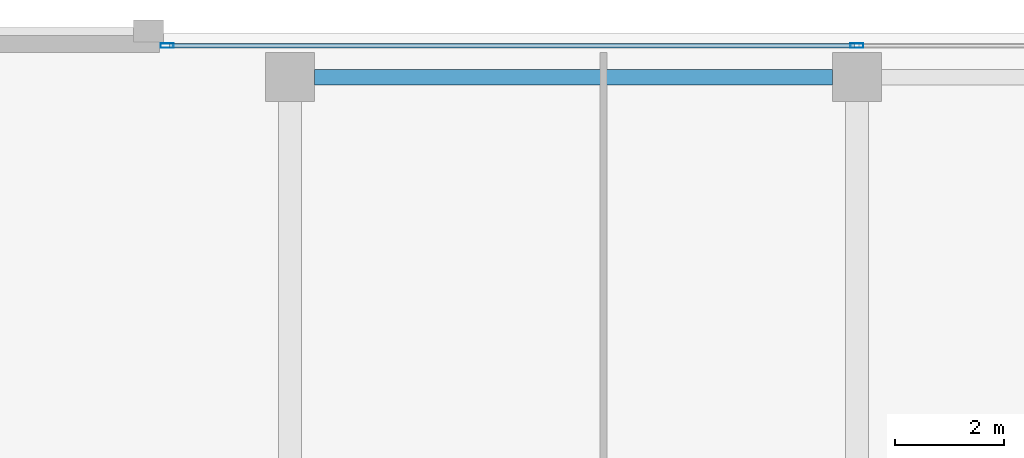
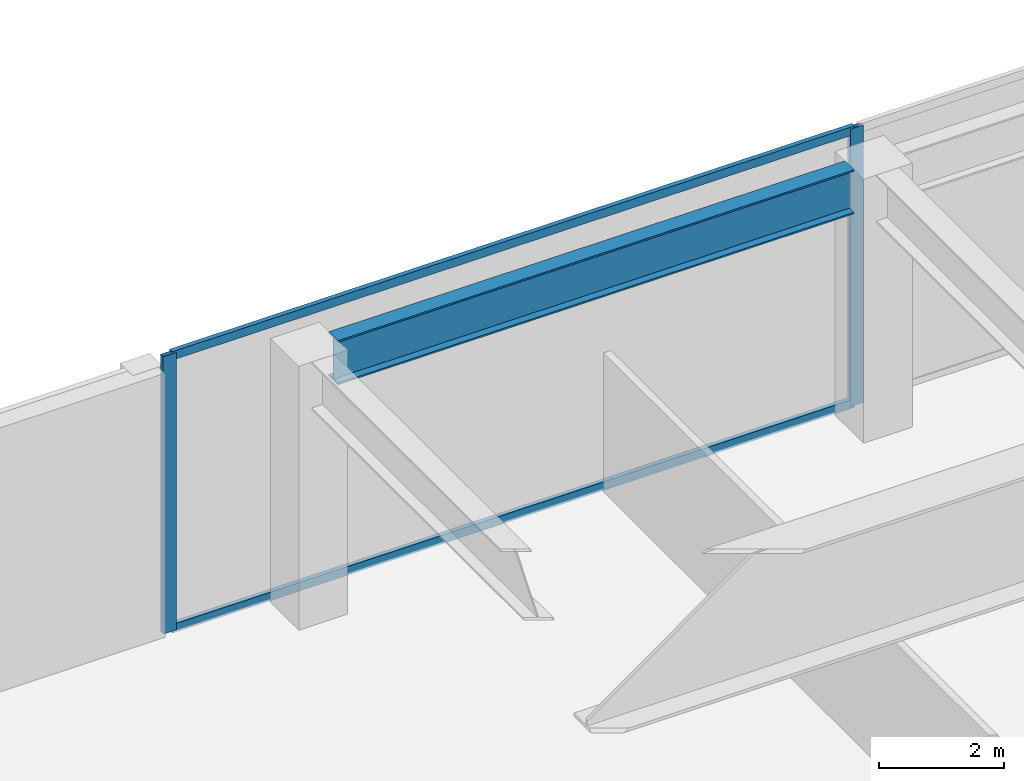
# One storey, part 22 of 48: 4 members, 1 beam, 1 element without a shape of its own.
"""IFC4 building model written with IfcOpenShell, lengths in metres."""

from ifc_helpers import new_model, si_unit, direction, frame, origin, origin_2d, place, context, subcontext, project, spatial, hollow_rectangle, i_section, extrude, material, material_profile, profile_set, type_object, element, aggregate, save


model = new_model("IFC4")

# Units and contexts
model_context = context("Model", 3, precision=1e-05, world=origin(), true_north=direction((0.0, 1.0)))
body_context = subcontext(model_context, "Body", "Model", "MODEL_VIEW")
ifc_project = project(units=[si_unit("LENGTHUNIT", "METRE"), si_unit("AREAUNIT", "SQUARE_METRE"), si_unit("VOLUMEUNIT", "CUBIC_METRE"), si_unit("PLANEANGLEUNIT", "RADIAN"), si_unit("MASSUNIT", "GRAM", prefix="KILO")], contexts=[model_context])

# Site, building, storey
site_placement = place(None, origin())
site = spatial("IfcSite", under=ifc_project, at=site_placement, CompositionType="ELEMENT")
building_placement = place(site_placement, origin())
building = spatial("IfcBuilding", under=site, at=building_placement, Name="Tashvorn Skyway Center", CompositionType="ELEMENT")
storey_placement = place(building_placement, frame((0.0, 0.0, 10.199951171875)))
storey = spatial("IfcBuildingStorey", under=building, at=storey_placement, Name="L02", CompositionType="ELEMENT", Elevation=10.199951171875)

# Beam
ifc_material_1 = material(Name="Steel ASTM A992 Grade 50", Category="steel")
ifc_material_profile_1 = material_profile(ifc_material_1, i_section(OverallWidth=0.2919921875, OverallDepth=0.85888671875, WebThickness=0.01708984375, FlangeThickness=0.031005859375, at=origin_2d()), Name="W33X169")
ifc_profile_set_1 = profile_set([ifc_material_profile_1], Name="Steel ASTM A992 Grade 50")
beam_type = type_object("IfcBeamType", Name="BM-BEAM-W33X169", PredefinedType="BEAM", material=ifc_profile_set_1)
beam_placement = place(storey_placement, frame((66.844970703125, 63.199951171875, 4.71044921875), z_axis=(1.0, 0.0, 0.0), x_axis=(0.0, 1.0, 0.0)))
element("IfcBeam", 1, at=beam_placement, inside=storey, type_object=beam_type, Name="L02 Central Podium Girder A 09", PredefinedType="BEAM", context=body_context, shape_type="SweptSolid", body=[
    extrude(i_section(OverallWidth=0.2919921875, OverallDepth=0.85888671875, WebThickness=0.01708984375, FlangeThickness=0.031005859375, at=origin_2d()), origin(), (0.0, 0.0, 1.0), 9.510009765625),
])

# Curtain wall, members
ifc_material_2 = material(Name="Thermally broken bronze-anodized aluminium 6063-T6", Category="aluminium")
curtain_wall_type = type_object("IfcCurtainWallType", Name="CW-CW-Z1", PredefinedType="NOTDEFINED", material=ifc_material_2)
curtain_wall_placement = place(storey_placement, origin())
curtain_wall = element("IfcCurtainWall", 2, at=curtain_wall_placement, inside=storey, type_object=curtain_wall_type, Name="L02 North Station Arcade Curtain Wall 2", PredefinedType="NOTDEFINED")
ifc_material_profile_2 = material_profile(ifc_material_2, hollow_rectangle(XDim=0.0849609375, YDim=0.239990234375, WallThickness=0.0048828125, at=origin_2d()), Name="ALU-MULL-85x240")
ifc_profile_set_2 = profile_set([ifc_material_profile_2], Name="Thermally broken bronze-anodized aluminium 6063-T6")
member_type_1 = type_object("IfcMemberType", Name="CWM-CW-Z1", PredefinedType="MULLION", material=ifc_profile_set_2)
member_1_placement = place(storey_placement, frame((64.142578125, 63.780029296875, 0.0), z_axis=(0.0, 0.0, 1.0), x_axis=(0.0, 1.0, 0.0)))
member_1 = element("IfcMember", 3, at=member_1_placement, type_object=member_type_1, Name="CW-Z1 mullion 1", PredefinedType="MULLION", context=body_context, shape_type="SweptSolid", body=[
    extrude(hollow_rectangle(XDim=0.0849609375, YDim=0.239990234375, WallThickness=0.0048828125, at=origin_2d()), origin(), (0.0, 0.0, 1.0), 5.400146484375),
])
member_2_placement = place(storey_placement, frame((76.800048828125, 63.780029296875, 0.0), z_axis=(0.0, 0.0, 1.0), x_axis=(0.0, 1.0, 0.0)))
member_2 = element("IfcMember", 4, at=member_2_placement, type_object=member_type_1, Name="CW-Z1 mullion 2", PredefinedType="MULLION", context=body_context, shape_type="SweptSolid", body=[
    extrude(hollow_rectangle(XDim=0.0849609375, YDim=0.239990234375, WallThickness=0.0048828125, at=origin_2d()), origin(), (0.0, 0.0, 1.0), 5.400146484375),
])
ifc_material_profile_3 = material_profile(ifc_material_2, hollow_rectangle(XDim=0.0849609375, YDim=0.1650390625, WallThickness=0.0048828125, at=origin_2d()), Name="ALU-TRAN-85x165")
ifc_profile_set_3 = profile_set([ifc_material_profile_3], Name="Thermally broken bronze-anodized aluminium 6063-T6")
member_type_2 = type_object("IfcMemberType", Name="CWT-CW-Z1", PredefinedType="USERDEFINED", material=ifc_profile_set_3)
member_3_placement = place(storey_placement, frame((64.18505859375, 63.780029296875, 0.04248046875), z_axis=(1.0, 0.0, 0.0), x_axis=(0.0, 1.0, 0.0)))
member_3 = element("IfcMember", 5, at=member_3_placement, type_object=member_type_2, Name="CW-Z1 transom 1.1", ObjectType="TRANSOM", PredefinedType="USERDEFINED", context=body_context, shape_type="SweptSolid", body=[
    extrude(hollow_rectangle(XDim=0.0849609375, YDim=0.1650390625, WallThickness=0.0048828125, at=origin_2d()), origin(), (0.0, 0.0, 1.0), 12.572509765625),
])
member_4_placement = place(storey_placement, frame((64.18505859375, 63.780029296875, 5.357666015625), z_axis=(1.0, 0.0, 0.0), x_axis=(0.0, 1.0, 0.0)))
member_4 = element("IfcMember", 6, at=member_4_placement, type_object=member_type_2, Name="CW-Z1 transom 1.2", ObjectType="TRANSOM", PredefinedType="USERDEFINED", context=body_context, shape_type="SweptSolid", body=[
    extrude(hollow_rectangle(XDim=0.0849609375, YDim=0.1650390625, WallThickness=0.0048828125, at=origin_2d()), origin(), (0.0, 0.0, 1.0), 12.572509765625),
])
aggregate(curtain_wall, [member_1, member_2, member_3, member_4])

save(model, "model.ifc")
